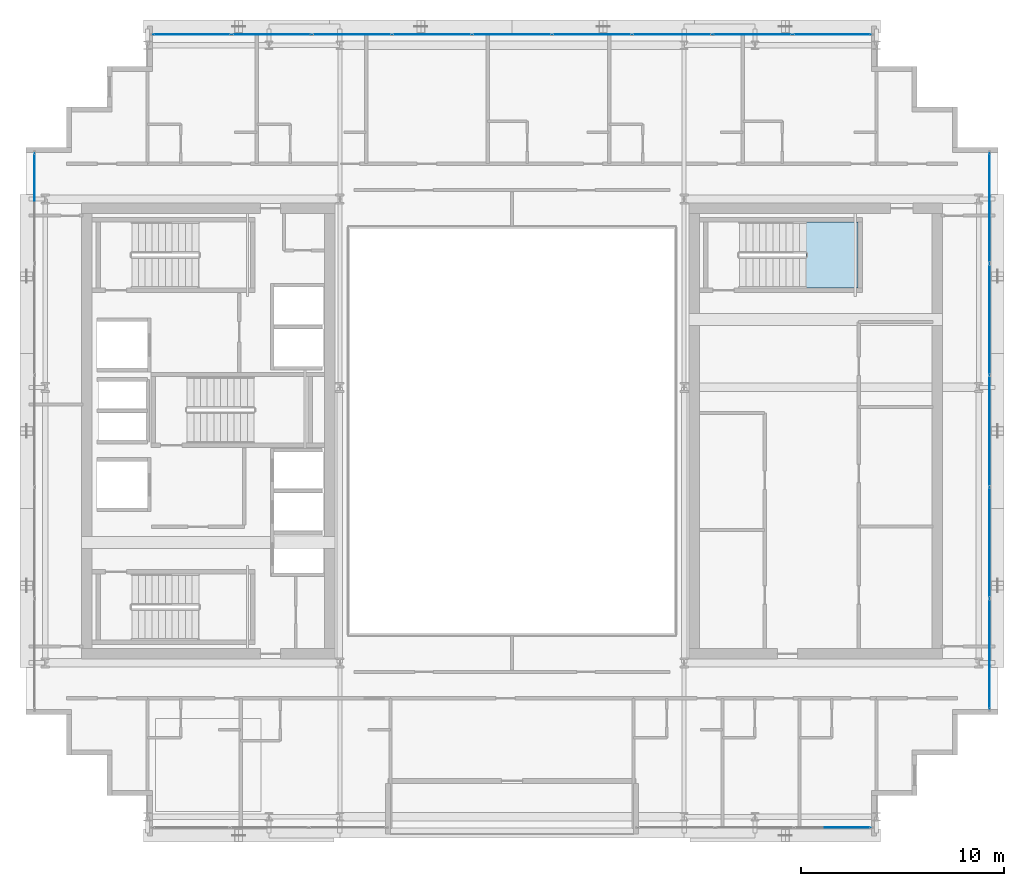
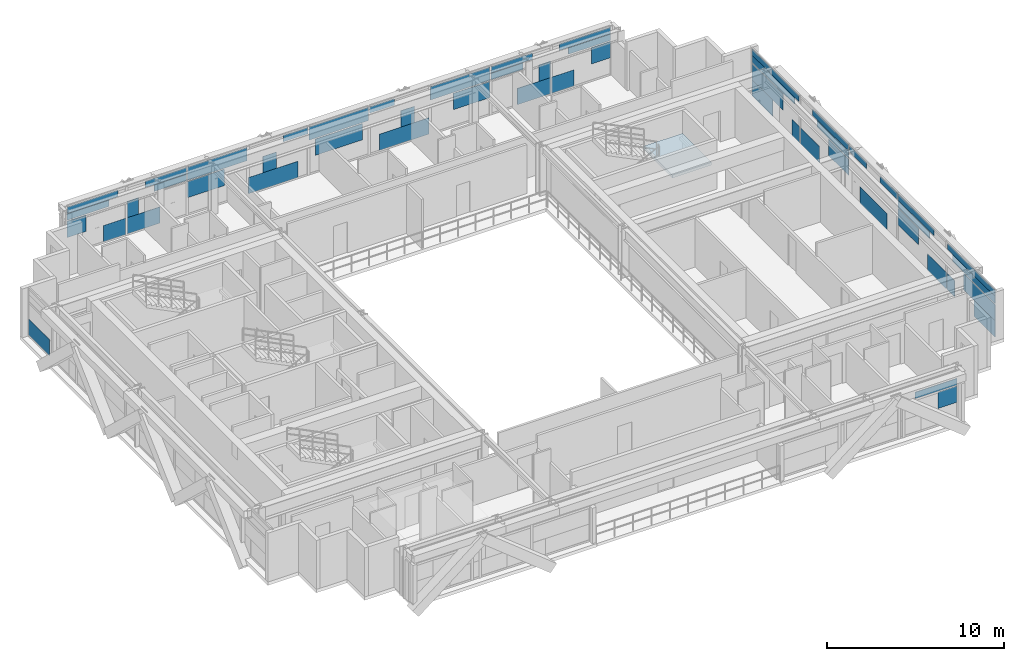
# One storey, part 21 of 31: 52 plates, 1 slab, 5 elements without a shape of their own.
"""IFC4 building model written with IfcOpenShell, lengths in metres."""

from ifc_helpers import new_model, si_unit, direction, frame, origin, origin_2d, place, context, subcontext, project, spatial, polyline, rectangle, outline, extrude, source, transform, mapped, material, layer, layer_set, type_object, element, aggregate, save


model = new_model("IFC4")

# Units and contexts
model_context = context("Model", 3, precision=1e-05, world=origin(), true_north=direction((0.0, 1.0)))
body_context = subcontext(model_context, "Body", "Model", "MODEL_VIEW")
ifc_project = project(units=[si_unit("LENGTHUNIT", "METRE"), si_unit("AREAUNIT", "SQUARE_METRE"), si_unit("VOLUMEUNIT", "CUBIC_METRE"), si_unit("PLANEANGLEUNIT", "RADIAN"), si_unit("MASSUNIT", "GRAM", prefix="KILO")], contexts=[model_context])

# Site, building, storey
site_placement = place(None, origin())
site = spatial("IfcSite", under=ifc_project, at=site_placement, CompositionType="ELEMENT")
building_placement = place(site_placement, origin())
building = spatial("IfcBuilding", under=site, at=building_placement, Name="Ocotamira Hotel", CompositionType="ELEMENT")
storey_placement = place(building_placement, frame((0.0, 0.0, 210.0)))
storey = spatial("IfcBuildingStorey", under=building, at=storey_placement, Name="L53", CompositionType="ELEMENT", Elevation=210.0)

# Stair, slab
ifc_material_1 = material(Name="Concrete C40/50", Category="concrete")
stair_type = type_object("IfcStairType", Name="ST-CORE-1560", PredefinedType="HALF_TURN_STAIR", material=ifc_material_1)
stair_placement = place(storey_placement, origin())
stair = element("IfcStair", 1, at=stair_placement, inside=storey, type_object=stair_type, Name="L53 Exit Stair ST-4", PredefinedType="HALF_TURN_STAIR")
ifc_layer_1 = layer(ifc_material_1, 0.199951171875)
ifc_layer_set_1 = layer_set([ifc_layer_1], Name="Concrete C40/50")
slab_type = type_object("IfcSlabType", Name="SLB-LAND-200", PredefinedType="LANDING", material=ifc_layer_set_1)
slab_placement = place(storey_placement, frame((0.0, 0.0, 1.60009765625)))
slab = element("IfcSlab", 2, at=slab_placement, type_object=slab_type, Name="ST-4 landing 1", PredefinedType="LANDING", context=body_context, shape_type="SweptSolid", body=[
    extrude(outline(polyline([(46.530029296875, 33.050048828125), (49.090087890625, 33.050048828125), (49.090087890625, 36.330078125), (46.530029296875, 36.330078125), (46.530029296875, 33.050048828125)])), origin(), (0.0, 0.0, 1.0), 0.199951171875),
])
aggregate(stair, [slab])

# Curtain wall, plates
ifc_material_2 = material(Name="Anodised pale-metal aluminium and solar glass", Category="aluminium")
ifc_layer_2 = layer(ifc_material_2, 0.199951171875)
ifc_layer_set_2 = layer_set([ifc_layer_2], Name="Anodised pale-metal aluminium and solar glass")
curtain_wall_type = type_object("IfcCurtainWallType", Name="CW-SYS4-Z3", PredefinedType="NOTDEFINED", material=ifc_layer_set_2)
curtain_wall_1_placement = place(storey_placement, origin())
curtain_wall_1 = element("IfcCurtainWall", 3, at=curtain_wall_1_placement, inside=storey, type_object=curtain_wall_type, Name="L53 Curtain Wall CW-4 CW-L53-N", PredefinedType="NOTDEFINED")
ifc_material_3 = material(Name="Double-silver low-E insulated solar glass", Category="glass")
ifc_layer_3 = layer(ifc_material_3, 0.031982421875)
ifc_layer_set_3 = layer_set([ifc_layer_3], Name="Double-silver low-E insulated solar glass")
plate_type = type_object("IfcPlateType", Name="CWP-VISION-32", PredefinedType="CURTAIN_PANEL", material=ifc_layer_set_3)
shared_shape_1 = source(origin(), body_context, "Body", "SweptSolid", [
    extrude(rectangle(XDim=3.87548828125, YDim=0.031982421875, at=origin_2d()), origin(), (0.0, 0.0, 1.0), 0.907470703125),
])
plate_1_placement = place(storey_placement, frame((24.0888671875, 45.580078125, 2.3876953125), z_axis=(0.0, 0.0, 1.0), x_axis=(1.0, 0.0, 0.0)))
plate_1 = element("IfcPlate", 4, at=plate_1_placement, type_object=plate_type, Name="CW-4 panel 3.2", PredefinedType="CURTAIN_PANEL", context=body_context, shape_type="MappedRepresentation", body=[
    mapped(shared_shape_1, transform((0.0, 0.0, 0.0), scale=1.0)),
])
plate_2_placement = place(storey_placement, frame((32.0, 45.580078125, 2.3876953125), z_axis=(0.0, 0.0, 1.0), x_axis=(1.0, 0.0, 0.0)))
plate_2 = element("IfcPlate", 5, at=plate_2_placement, type_object=plate_type, Name="CW-4 panel 5.2", PredefinedType="CURTAIN_PANEL", context=body_context, shape_type="MappedRepresentation", body=[
    mapped(shared_shape_1, transform((0.0, 0.0, 0.0), scale=1.0)),
])
plate_3_placement = place(storey_placement, frame((39.9111328125, 45.580078125, 2.3876953125), z_axis=(0.0, 0.0, 1.0), x_axis=(1.0, 0.0, 0.0)))
plate_3 = element("IfcPlate", 6, at=plate_3_placement, type_object=plate_type, Name="CW-4 panel 7.2", PredefinedType="CURTAIN_PANEL", context=body_context, shape_type="MappedRepresentation", body=[
    mapped(shared_shape_1, transform((0.0, 0.0, 0.0), scale=1.0)),
])

# Curtain wall, plate
curtain_wall_2_placement = place(storey_placement, origin())
curtain_wall_2 = element("IfcCurtainWall", 7, at=curtain_wall_2_placement, inside=storey, type_object=curtain_wall_type, Name="L53 Curtain Wall CW-4 CW-L53-S2", PredefinedType="NOTDEFINED")
shared_shape_2 = source(origin(), body_context, "Body", "SweptSolid", [
    extrude(rectangle(XDim=1.251953125, YDim=0.031982421875, at=origin_2d()), origin(), (0.0, 0.0, 1.0), 1.118896484375),
])
plate_4_placement = place(storey_placement, frame((49.093994140625, 6.419921875, 1.19384765625), z_axis=(0.0, 0.0, 1.0), x_axis=(1.0, 0.0, 0.0)))
plate_4 = element("IfcPlate", 8, at=plate_4_placement, type_object=plate_type, Name="CW-4 panel 3.1.2", PredefinedType="CURTAIN_PANEL", context=body_context, shape_type="MappedRepresentation", body=[
    mapped(shared_shape_2, transform((0.0, 0.0, 0.0), scale=1.0)),
])

# Plate
plate_5_placement = place(storey_placement, frame((14.906005859375, 45.580078125, 1.19384765625), z_axis=(0.0, 0.0, 1.0), x_axis=(1.0, 0.0, 0.0)))
plate_5 = element("IfcPlate", 9, at=plate_5_placement, type_object=plate_type, Name="CW-4 panel 1.1.1", PredefinedType="CURTAIN_PANEL", context=body_context, shape_type="MappedRepresentation", body=[
    mapped(shared_shape_2, transform((0.0, 0.0, 0.0), scale=1.0)),
])

plate_6_placement = place(storey_placement, frame((49.093994140625, 45.580078125, 1.19384765625), z_axis=(0.0, 0.0, 1.0), x_axis=(1.0, 0.0, 0.0)))
plate_6 = element("IfcPlate", 10, at=plate_6_placement, type_object=plate_type, Name="CW-4 panel 9.1.2", PredefinedType="CURTAIN_PANEL", context=body_context, shape_type="MappedRepresentation", body=[
    mapped(shared_shape_2, transform((0.0, 0.0, 0.0), scale=1.0)),
])

shared_shape_3 = source(origin(), body_context, "Body", "SweptSolid", [
    extrude(rectangle(XDim=2.744140625, YDim=0.031982421875, at=origin_2d()), origin(), (0.0, 0.0, 1.0), 0.443603515625),
])
plate_7_placement = place(storey_placement, frame((48.347900390625, 6.419921875, 2.3876953125), z_axis=(0.0, 0.0, 1.0), x_axis=(1.0, 0.0, 0.0)))
plate_7 = element("IfcPlate", 11, at=plate_7_placement, type_object=plate_type, Name="CW-4 panel 3.2.2", PredefinedType="CURTAIN_PANEL", context=body_context, shape_type="MappedRepresentation", body=[
    mapped(shared_shape_3, transform((0.0, 0.0, 0.0), scale=1.0)),
])

aggregate(curtain_wall_2, [plate_4, plate_7])

plate_8_placement = place(storey_placement, frame((15.652099609375, 45.580078125, 2.3876953125), z_axis=(0.0, 0.0, 1.0), x_axis=(1.0, 0.0, 0.0)))
plate_8 = element("IfcPlate", 12, at=plate_8_placement, type_object=plate_type, Name="CW-4 panel 1.2.1", PredefinedType="CURTAIN_PANEL", context=body_context, shape_type="MappedRepresentation", body=[
    mapped(shared_shape_3, transform((0.0, 0.0, 0.0), scale=1.0)),
])

plate_9_placement = place(storey_placement, frame((48.347900390625, 45.580078125, 2.3876953125), z_axis=(0.0, 0.0, 1.0), x_axis=(1.0, 0.0, 0.0)))
plate_9 = element("IfcPlate", 13, at=plate_9_placement, type_object=plate_type, Name="CW-4 panel 9.2.2", PredefinedType="CURTAIN_PANEL", context=body_context, shape_type="MappedRepresentation", body=[
    mapped(shared_shape_3, transform((0.0, 0.0, 0.0), scale=1.0)),
])

shared_shape_4 = source(origin(), body_context, "Body", "SweptSolid", [
    extrude(rectangle(XDim=3.337646484375, YDim=0.031982421875, at=origin_2d()), origin(), (0.0, 0.0, 1.0), 0.4326171875),
])
plate_10_placement = place(storey_placement, frame((15.94873046875, 45.580078125, 2.8623046875), z_axis=(0.0, 0.0, 1.0), x_axis=(1.0, 0.0, 0.0)))
plate_10 = element("IfcPlate", 14, at=plate_10_placement, type_object=plate_type, Name="CW-4 panel 1.2.2", PredefinedType="CURTAIN_PANEL", context=body_context, shape_type="MappedRepresentation", body=[
    mapped(shared_shape_4, transform((0.0, 0.0, 0.0), scale=1.0)),
])

plate_11_placement = place(storey_placement, frame((48.05126953125, 45.580078125, 2.8623046875), z_axis=(0.0, 0.0, 1.0), x_axis=(1.0, 0.0, 0.0)))
plate_11 = element("IfcPlate", 15, at=plate_11_placement, type_object=plate_type, Name="CW-4 panel 9.2.1", PredefinedType="CURTAIN_PANEL", context=body_context, shape_type="MappedRepresentation", body=[
    mapped(shared_shape_4, transform((0.0, 0.0, 0.0), scale=1.0)),
])

shared_shape_5 = source(origin(), body_context, "Body", "SweptSolid", [
    extrude(rectangle(XDim=1.463134765625, YDim=0.031982421875, at=origin_2d()), origin(), (0.0, 0.0, 1.0), 1.118896484375),
])
plate_12_placement = place(storey_placement, frame((17.384033203125, 45.580078125, 0.0751953125), z_axis=(0.0, 0.0, 1.0), x_axis=(1.0, 0.0, 0.0)))
plate_12 = element("IfcPlate", 16, at=plate_12_placement, type_object=plate_type, Name="CW-4 panel 1.1.2", PredefinedType="CURTAIN_PANEL", context=body_context, shape_type="MappedRepresentation", body=[
    mapped(shared_shape_5, transform((0.0, 0.0, 0.0), scale=1.0)),
])

plate_13_placement = place(storey_placement, frame((46.615966796875, 45.580078125, 0.0751953125), z_axis=(0.0, 0.0, 1.0), x_axis=(1.0, 0.0, 0.0)))
plate_13 = element("IfcPlate", 17, at=plate_13_placement, type_object=plate_type, Name="CW-4 panel 9.1.1", PredefinedType="CURTAIN_PANEL", context=body_context, shape_type="MappedRepresentation", body=[
    mapped(shared_shape_5, transform((0.0, 0.0, 0.0), scale=1.0)),
])

shared_shape_6 = source(origin(), body_context, "Body", "SweptSolid", [
    extrude(rectangle(XDim=2.152099609375, YDim=0.031982421875, at=origin_2d()), origin(), (0.0, 0.0, 1.0), 1.118896484375),
])
plate_14_placement = place(storey_placement, frame((19.271484375, 45.580078125, 0.0751953125), z_axis=(0.0, 0.0, 1.0), x_axis=(1.0, 0.0, 0.0)))
plate_14 = element("IfcPlate", 18, at=plate_14_placement, type_object=plate_type, Name="CW-4 panel 2.1.1", PredefinedType="CURTAIN_PANEL", context=body_context, shape_type="MappedRepresentation", body=[
    mapped(shared_shape_6, transform((0.0, 0.0, 0.0), scale=1.0)),
])

plate_15_placement = place(storey_placement, frame((44.728515625, 45.580078125, 0.0751953125), z_axis=(0.0, 0.0, 1.0), x_axis=(1.0, 0.0, 0.0)))
plate_15 = element("IfcPlate", 19, at=plate_15_placement, type_object=plate_type, Name="CW-4 panel 8.1.1", PredefinedType="CURTAIN_PANEL", context=body_context, shape_type="MappedRepresentation", body=[
    mapped(shared_shape_6, transform((0.0, 0.0, 0.0), scale=1.0)),
])

shared_shape_7 = source(origin(), body_context, "Body", "SweptSolid", [
    extrude(rectangle(XDim=0.75341796875, YDim=0.031982421875, at=origin_2d()), origin(), (0.0, 0.0, 1.0), 1.118896484375),
])
plate_16_placement = place(storey_placement, frame((18.572265625, 45.580078125, 1.19384765625), z_axis=(0.0, 0.0, 1.0), x_axis=(1.0, 0.0, 0.0)))
plate_16 = element("IfcPlate", 20, at=plate_16_placement, type_object=plate_type, Name="CW-4 panel 2.1.2", PredefinedType="CURTAIN_PANEL", context=body_context, shape_type="MappedRepresentation", body=[
    mapped(shared_shape_7, transform((0.0, 0.0, 0.0), scale=1.0)),
])

plate_17_placement = place(storey_placement, frame((45.427734375, 45.580078125, 1.19384765625), z_axis=(0.0, 0.0, 1.0), x_axis=(1.0, 0.0, 0.0)))
plate_17 = element("IfcPlate", 21, at=plate_17_placement, type_object=plate_type, Name="CW-4 panel 8.1.2", PredefinedType="CURTAIN_PANEL", context=body_context, shape_type="MappedRepresentation", body=[
    mapped(shared_shape_7, transform((0.0, 0.0, 0.0), scale=1.0)),
])

shared_shape_8 = source(origin(), body_context, "Body", "SweptSolid", [
    extrude(rectangle(XDim=2.688720703125, YDim=0.031982421875, at=origin_2d()), origin(), (0.0, 0.0, 1.0), 0.4326171875),
])
plate_18_placement = place(storey_placement, frame((20.726806640625, 45.580078125, 2.8623046875), z_axis=(0.0, 0.0, 1.0), x_axis=(1.0, 0.0, 0.0)))
plate_18 = element("IfcPlate", 22, at=plate_18_placement, type_object=plate_type, Name="CW-4 panel 2.2.1", PredefinedType="CURTAIN_PANEL", context=body_context, shape_type="MappedRepresentation", body=[
    mapped(shared_shape_8, transform((0.0, 0.0, 0.0), scale=1.0)),
])

plate_19_placement = place(storey_placement, frame((43.273193359375, 45.580078125, 2.8623046875), z_axis=(0.0, 0.0, 1.0), x_axis=(1.0, 0.0, 0.0)))
plate_19 = element("IfcPlate", 23, at=plate_19_placement, type_object=plate_type, Name="CW-4 panel 8.2.2", PredefinedType="CURTAIN_PANEL", context=body_context, shape_type="MappedRepresentation", body=[
    mapped(shared_shape_8, transform((0.0, 0.0, 0.0), scale=1.0)),
])

shared_shape_9 = source(origin(), body_context, "Body", "SweptSolid", [
    extrude(rectangle(XDim=2.09521484375, YDim=0.031982421875, at=origin_2d()), origin(), (0.0, 0.0, 1.0), 0.443603515625),
])
plate_20_placement = place(storey_placement, frame((21.0234375, 45.580078125, 2.3876953125), z_axis=(0.0, 0.0, 1.0), x_axis=(1.0, 0.0, 0.0)))
plate_20 = element("IfcPlate", 24, at=plate_20_placement, type_object=plate_type, Name="CW-4 panel 2.2.2", PredefinedType="CURTAIN_PANEL", context=body_context, shape_type="MappedRepresentation", body=[
    mapped(shared_shape_9, transform((0.0, 0.0, 0.0), scale=1.0)),
])

plate_21_placement = place(storey_placement, frame((42.9765625, 45.580078125, 2.3876953125), z_axis=(0.0, 0.0, 1.0), x_axis=(1.0, 0.0, 0.0)))
plate_21 = element("IfcPlate", 25, at=plate_21_placement, type_object=plate_type, Name="CW-4 panel 8.2.1", PredefinedType="CURTAIN_PANEL", context=body_context, shape_type="MappedRepresentation", body=[
    mapped(shared_shape_9, transform((0.0, 0.0, 0.0), scale=1.0)),
])

shared_shape_10 = source(origin(), body_context, "Body", "SweptSolid", [
    extrude(rectangle(XDim=2.380859375, YDim=0.031982421875, at=origin_2d()), origin(), (0.0, 0.0, 1.0), 1.118896484375),
])
plate_22_placement = place(storey_placement, frame((23.341552734375, 45.580078125, 1.19384765625), z_axis=(0.0, 0.0, 1.0), x_axis=(1.0, 0.0, 0.0)))
plate_22 = element("IfcPlate", 26, at=plate_22_placement, type_object=plate_type, Name="CW-4 panel 3.1.1", PredefinedType="CURTAIN_PANEL", context=body_context, shape_type="MappedRepresentation", body=[
    mapped(shared_shape_10, transform((0.0, 0.0, 0.0), scale=1.0)),
])

plate_23_placement = place(storey_placement, frame((40.658447265625, 45.580078125, 1.19384765625), z_axis=(0.0, 0.0, 1.0), x_axis=(1.0, 0.0, 0.0)))
plate_23 = element("IfcPlate", 27, at=plate_23_placement, type_object=plate_type, Name="CW-4 panel 7.1.1", PredefinedType="CURTAIN_PANEL", context=body_context, shape_type="MappedRepresentation", body=[
    mapped(shared_shape_10, transform((0.0, 0.0, 0.0), scale=1.0)),
])

shared_shape_11 = source(origin(), body_context, "Body", "SweptSolid", [
    extrude(rectangle(XDim=3.240966796875, YDim=0.031982421875, at=origin_2d()), origin(), (0.0, 0.0, 1.0), 1.118896484375),
])
plate_24_placement = place(storey_placement, frame((27.72705078125, 45.580078125, 0.0751953125), z_axis=(0.0, 0.0, 1.0), x_axis=(1.0, 0.0, 0.0)))
plate_24 = element("IfcPlate", 28, at=plate_24_placement, type_object=plate_type, Name="CW-4 panel 4.1.1", PredefinedType="CURTAIN_PANEL", context=body_context, shape_type="MappedRepresentation", body=[
    mapped(shared_shape_11, transform((0.0, 0.0, 0.0), scale=1.0)),
])

plate_25_placement = place(storey_placement, frame((36.27294921875, 45.580078125, 0.0751953125), z_axis=(0.0, 0.0, 1.0), x_axis=(1.0, 0.0, 0.0)))
plate_25 = element("IfcPlate", 29, at=plate_25_placement, type_object=plate_type, Name="CW-4 panel 6.1.1", PredefinedType="CURTAIN_PANEL", context=body_context, shape_type="MappedRepresentation", body=[
    mapped(shared_shape_11, transform((0.0, 0.0, 0.0), scale=1.0)),
])

shared_shape_12 = source(origin(), body_context, "Body", "SweptSolid", [
    extrude(rectangle(XDim=0.898193359375, YDim=0.031982421875, at=origin_2d()), origin(), (0.0, 0.0, 1.0), 1.118896484375),
])
plate_26_placement = place(storey_placement, frame((27.5, 45.580078125, 1.19384765625), z_axis=(0.0, 0.0, 1.0), x_axis=(1.0, 0.0, 0.0)))
plate_26 = element("IfcPlate", 30, at=plate_26_placement, type_object=plate_type, Name="CW-4 panel 4.1.2", PredefinedType="CURTAIN_PANEL", context=body_context, shape_type="MappedRepresentation", body=[
    mapped(shared_shape_12, transform((0.0, 0.0, 0.0), scale=1.0)),
])

plate_27_placement = place(storey_placement, frame((36.5, 45.580078125, 1.19384765625), z_axis=(0.0, 0.0, 1.0), x_axis=(1.0, 0.0, 0.0)))
plate_27 = element("IfcPlate", 31, at=plate_27_placement, type_object=plate_type, Name="CW-4 panel 6.1.2", PredefinedType="CURTAIN_PANEL", context=body_context, shape_type="MappedRepresentation", body=[
    mapped(shared_shape_12, transform((0.0, 0.0, 0.0), scale=1.0)),
])

shared_shape_13 = source(origin(), body_context, "Body", "SweptSolid", [
    extrude(rectangle(XDim=1.599853515625, YDim=0.031982421875, at=origin_2d()), origin(), (0.0, 0.0, 1.0), 0.4326171875),
])
plate_28_placement = place(storey_placement, frame((29.182373046875, 45.580078125, 2.8623046875), z_axis=(0.0, 0.0, 1.0), x_axis=(1.0, 0.0, 0.0)))
plate_28 = element("IfcPlate", 32, at=plate_28_placement, type_object=plate_type, Name="CW-4 panel 4.2.1", PredefinedType="CURTAIN_PANEL", context=body_context, shape_type="MappedRepresentation", body=[
    mapped(shared_shape_13, transform((0.0, 0.0, 0.0), scale=1.0)),
])

plate_29_placement = place(storey_placement, frame((34.817626953125, 45.580078125, 2.8623046875), z_axis=(0.0, 0.0, 1.0), x_axis=(1.0, 0.0, 0.0)))
plate_29 = element("IfcPlate", 33, at=plate_29_placement, type_object=plate_type, Name="CW-4 panel 6.2.1", PredefinedType="CURTAIN_PANEL", context=body_context, shape_type="MappedRepresentation", body=[
    mapped(shared_shape_13, transform((0.0, 0.0, 0.0), scale=1.0)),
])

shared_shape_14 = source(origin(), body_context, "Body", "SweptSolid", [
    extrude(rectangle(XDim=3.063720703125, YDim=0.031982421875, at=origin_2d()), origin(), (0.0, 0.0, 1.0), 1.118896484375),
])
plate_30_placement = place(storey_placement, frame((32.0, 45.580078125, 1.19384765625), z_axis=(0.0, 0.0, 1.0), x_axis=(1.0, 0.0, 0.0)))
plate_30 = element("IfcPlate", 34, at=plate_30_placement, type_object=plate_type, Name="CW-4 panel 5.1.1", PredefinedType="CURTAIN_PANEL", context=body_context, shape_type="MappedRepresentation", body=[
    mapped(shared_shape_14, transform((0.0, 0.0, 0.0), scale=1.0)),
])

aggregate(curtain_wall_1, [plate_5, plate_12, plate_8, plate_10, plate_14, plate_16, plate_18, plate_20, plate_22, plate_1, plate_24, plate_26, plate_28, plate_30, plate_2, plate_25, plate_27, plate_29, plate_23, plate_3, plate_15, plate_17, plate_21, plate_19, plate_13, plate_6, plate_11, plate_9])

# Curtain wall, plate
curtain_wall_3_placement = place(storey_placement, origin())
curtain_wall_3 = element("IfcCurtainWall", 35, at=curtain_wall_3_placement, inside=storey, type_object=curtain_wall_type, Name="L53 Curtain Wall CW-4 CW-L53-W", PredefinedType="NOTDEFINED")
shared_shape_15 = source(origin(), body_context, "Body", "SweptSolid", [
    extrude(rectangle(XDim=2.348388671875, YDim=0.031982421875, at=origin_2d()), origin(), (0.0, 0.0, 1.0), 1.118896484375),
])
plate_31_placement = place(storey_placement, frame((8.419921875, 38.5458984375, 0.0751953125), z_axis=(0.0, 0.0, 1.0), x_axis=(0.0, 1.0, 0.0)))
plate_31 = element("IfcPlate", 36, at=plate_31_placement, type_object=plate_type, Name="CW-4 panel 5.1.3", PredefinedType="CURTAIN_PANEL", context=body_context, shape_type="MappedRepresentation", body=[
    mapped(shared_shape_15, transform((0.0, 0.0, 0.0), scale=1.0)),
])
aggregate(curtain_wall_3, [plate_31])

# Curtain wall, plates
curtain_wall_4_placement = place(storey_placement, origin())
curtain_wall_4 = element("IfcCurtainWall", 37, at=curtain_wall_4_placement, inside=storey, type_object=curtain_wall_type, Name="L53 Curtain Wall CW-4 CW-L53-E", PredefinedType="NOTDEFINED")
plate_32_placement = place(storey_placement, frame((55.580078125, 13.4541015625, 0.0751953125), z_axis=(0.0, 0.0, 1.0), x_axis=(0.0, 1.0, 0.0)))
plate_32 = element("IfcPlate", 38, at=plate_32_placement, type_object=plate_type, Name="CW-4 panel 1.1.1", PredefinedType="CURTAIN_PANEL", context=body_context, shape_type="MappedRepresentation", body=[
    mapped(shared_shape_15, transform((0.0, 0.0, 0.0), scale=1.0)),
])
plate_33_placement = place(storey_placement, frame((55.580078125, 38.5458984375, 0.0751953125), z_axis=(0.0, 0.0, 1.0), x_axis=(0.0, 1.0, 0.0)))
plate_33 = element("IfcPlate", 39, at=plate_33_placement, type_object=plate_type, Name="CW-4 panel 5.1.3", PredefinedType="CURTAIN_PANEL", context=body_context, shape_type="MappedRepresentation", body=[
    mapped(shared_shape_15, transform((0.0, 0.0, 0.0), scale=1.0)),
])
shared_shape_16 = source(origin(), body_context, "Body", "SweptSolid", [
    extrude(rectangle(XDim=3.534423828125, YDim=0.031982421875, at=origin_2d()), origin(), (0.0, 0.0, 1.0), 1.118896484375),
])
plate_34_placement = place(storey_placement, frame((55.580078125, 14.047119140625, 1.19384765625), z_axis=(0.0, 0.0, 1.0), x_axis=(0.0, 1.0, 0.0)))
plate_34 = element("IfcPlate", 40, at=plate_34_placement, type_object=plate_type, Name="CW-4 panel 1.1.2", PredefinedType="CURTAIN_PANEL", context=body_context, shape_type="MappedRepresentation", body=[
    mapped(shared_shape_16, transform((0.0, 0.0, 0.0), scale=1.0)),
])
plate_35_placement = place(storey_placement, frame((55.580078125, 37.952880859375, 1.19384765625), z_axis=(0.0, 0.0, 1.0), x_axis=(0.0, 1.0, 0.0)))
plate_35 = element("IfcPlate", 41, at=plate_35_placement, type_object=plate_type, Name="CW-4 panel 5.1.2", PredefinedType="CURTAIN_PANEL", context=body_context, shape_type="MappedRepresentation", body=[
    mapped(shared_shape_16, transform((0.0, 0.0, 0.0), scale=1.0)),
])
shared_shape_17 = source(origin(), body_context, "Body", "SweptSolid", [
    extrude(rectangle(XDim=0.845458984375, YDim=0.031982421875, at=origin_2d()), origin(), (0.0, 0.0, 1.0), 1.118896484375),
])
plate_36_placement = place(storey_placement, frame((55.580078125, 17.25732421875, 0.0751953125), z_axis=(0.0, 0.0, 1.0), x_axis=(0.0, 1.0, 0.0)))
plate_36 = element("IfcPlate", 42, at=plate_36_placement, type_object=plate_type, Name="CW-4 panel 1.1.3", PredefinedType="CURTAIN_PANEL", context=body_context, shape_type="MappedRepresentation", body=[
    mapped(shared_shape_17, transform((0.0, 0.0, 0.0), scale=1.0)),
])
plate_37_placement = place(storey_placement, frame((55.580078125, 34.74267578125, 0.0751953125), z_axis=(0.0, 0.0, 1.0), x_axis=(0.0, 1.0, 0.0)))
plate_37 = element("IfcPlate", 43, at=plate_37_placement, type_object=plate_type, Name="CW-4 panel 5.1.1", PredefinedType="CURTAIN_PANEL", context=body_context, shape_type="MappedRepresentation", body=[
    mapped(shared_shape_17, transform((0.0, 0.0, 0.0), scale=1.0)),
])
shared_shape_18 = source(origin(), body_context, "Body", "SweptSolid", [
    extrude(rectangle(XDim=4.7998046875, YDim=0.031982421875, at=origin_2d()), origin(), (0.0, 0.0, 1.0), 0.4951171875),
])
plate_38_placement = place(storey_placement, frame((55.580078125, 14.679931640625, 2.387451171875), z_axis=(0.0, 0.0, 1.0), x_axis=(0.0, 1.0, 0.0)))
plate_38 = element("IfcPlate", 44, at=plate_38_placement, type_object=plate_type, Name="CW-4 panel 1.2.1", PredefinedType="CURTAIN_PANEL", context=body_context, shape_type="MappedRepresentation", body=[
    mapped(shared_shape_18, transform((0.0, 0.0, 0.0), scale=1.0)),
])
plate_39_placement = place(storey_placement, frame((55.580078125, 37.320068359375, 2.387451171875), z_axis=(0.0, 0.0, 1.0), x_axis=(0.0, 1.0, 0.0)))
plate_39 = element("IfcPlate", 45, at=plate_39_placement, type_object=plate_type, Name="CW-4 panel 5.2.2", PredefinedType="CURTAIN_PANEL", context=body_context, shape_type="MappedRepresentation", body=[
    mapped(shared_shape_18, transform((0.0, 0.0, 0.0), scale=1.0)),
])
shared_shape_19 = source(origin(), body_context, "Body", "SweptSolid", [
    extrude(rectangle(XDim=5.32470703125, YDim=0.031982421875, at=origin_2d()), origin(), (0.0, 0.0, 1.0), 0.41259765625),
])
plate_40_placement = place(storey_placement, frame((55.580078125, 14.9423828125, 2.882568359375), z_axis=(0.0, 0.0, 1.0), x_axis=(0.0, 1.0, 0.0)))
plate_40 = element("IfcPlate", 46, at=plate_40_placement, type_object=plate_type, Name="CW-4 panel 1.2.2", PredefinedType="CURTAIN_PANEL", context=body_context, shape_type="MappedRepresentation", body=[
    mapped(shared_shape_19, transform((0.0, 0.0, 0.0), scale=1.0)),
])
plate_41_placement = place(storey_placement, frame((55.580078125, 37.0576171875, 2.882568359375), z_axis=(0.0, 0.0, 1.0), x_axis=(0.0, 1.0, 0.0)))
plate_41 = element("IfcPlate", 47, at=plate_41_placement, type_object=plate_type, Name="CW-4 panel 5.2.1", PredefinedType="CURTAIN_PANEL", context=body_context, shape_type="MappedRepresentation", body=[
    mapped(shared_shape_19, transform((0.0, 0.0, 0.0), scale=1.0)),
])
shared_shape_20 = source(origin(), body_context, "Body", "SweptSolid", [
    extrude(rectangle(XDim=2.138671875, YDim=0.031982421875, at=origin_2d()), origin(), (0.0, 0.0, 1.0), 1.118896484375),
])
plate_42_placement = place(storey_placement, frame((55.580078125, 18.829345703125, 0.0751953125), z_axis=(0.0, 0.0, 1.0), x_axis=(0.0, 1.0, 0.0)))
plate_42 = element("IfcPlate", 48, at=plate_42_placement, type_object=plate_type, Name="CW-4 panel 2.1.1", PredefinedType="CURTAIN_PANEL", context=body_context, shape_type="MappedRepresentation", body=[
    mapped(shared_shape_20, transform((0.0, 0.0, 0.0), scale=1.0)),
])
plate_43_placement = place(storey_placement, frame((55.580078125, 33.170654296875, 0.0751953125), z_axis=(0.0, 0.0, 1.0), x_axis=(0.0, 1.0, 0.0)))
plate_43 = element("IfcPlate", 49, at=plate_43_placement, type_object=plate_type, Name="CW-4 panel 4.1.2", PredefinedType="CURTAIN_PANEL", context=body_context, shape_type="MappedRepresentation", body=[
    mapped(shared_shape_20, transform((0.0, 0.0, 0.0), scale=1.0)),
])
shared_shape_21 = source(origin(), body_context, "Body", "SweptSolid", [
    extrude(rectangle(XDim=2.281005859375, YDim=0.031982421875, at=origin_2d()), origin(), (0.0, 0.0, 1.0), 1.118896484375),
])
plate_44_placement = place(storey_placement, frame((55.580078125, 22.059326171875, 1.19384765625), z_axis=(0.0, 0.0, 1.0), x_axis=(0.0, 1.0, 0.0)))
plate_44 = element("IfcPlate", 50, at=plate_44_placement, type_object=plate_type, Name="CW-4 panel 2.1.2", PredefinedType="CURTAIN_PANEL", context=body_context, shape_type="MappedRepresentation", body=[
    mapped(shared_shape_21, transform((0.0, 0.0, 0.0), scale=1.0)),
])
plate_45_placement = place(storey_placement, frame((55.580078125, 29.940673828125, 1.19384765625), z_axis=(0.0, 0.0, 1.0), x_axis=(0.0, 1.0, 0.0)))
plate_45 = element("IfcPlate", 51, at=plate_45_placement, type_object=plate_type, Name="CW-4 panel 4.1.1", PredefinedType="CURTAIN_PANEL", context=body_context, shape_type="MappedRepresentation", body=[
    mapped(shared_shape_21, transform((0.0, 0.0, 0.0), scale=1.0)),
])
shared_shape_22 = source(origin(), body_context, "Body", "SweptSolid", [
    extrude(rectangle(XDim=4.071533203125, YDim=0.031982421875, at=origin_2d()), origin(), (0.0, 0.0, 1.0), 0.41259765625),
])
plate_46_placement = place(storey_placement, frame((55.580078125, 21.164306640625, 2.882568359375), z_axis=(0.0, 0.0, 1.0), x_axis=(0.0, 1.0, 0.0)))
plate_46 = element("IfcPlate", 52, at=plate_46_placement, type_object=plate_type, Name="CW-4 panel 2.2.1", PredefinedType="CURTAIN_PANEL", context=body_context, shape_type="MappedRepresentation", body=[
    mapped(shared_shape_22, transform((0.0, 0.0, 0.0), scale=1.0)),
])
plate_47_placement = place(storey_placement, frame((55.580078125, 30.835693359375, 2.882568359375), z_axis=(0.0, 0.0, 1.0), x_axis=(0.0, 1.0, 0.0)))
plate_47 = element("IfcPlate", 53, at=plate_47_placement, type_object=plate_type, Name="CW-4 panel 4.2.2", PredefinedType="CURTAIN_PANEL", context=body_context, shape_type="MappedRepresentation", body=[
    mapped(shared_shape_22, transform((0.0, 0.0, 0.0), scale=1.0)),
])
shared_shape_23 = source(origin(), body_context, "Body", "SweptSolid", [
    extrude(rectangle(XDim=3.546630859375, YDim=0.031982421875, at=origin_2d()), origin(), (0.0, 0.0, 1.0), 0.460693359375),
])
plate_48_placement = place(storey_placement, frame((55.580078125, 21.426513671875, 2.3876953125), z_axis=(0.0, 0.0, 1.0), x_axis=(0.0, 1.0, 0.0)))
plate_48 = element("IfcPlate", 54, at=plate_48_placement, type_object=plate_type, Name="CW-4 panel 2.2.2", PredefinedType="CURTAIN_PANEL", context=body_context, shape_type="MappedRepresentation", body=[
    mapped(shared_shape_23, transform((0.0, 0.0, 0.0), scale=1.0)),
])
plate_49_placement = place(storey_placement, frame((55.580078125, 30.573486328125, 2.3876953125), z_axis=(0.0, 0.0, 1.0), x_axis=(0.0, 1.0, 0.0)))
plate_49 = element("IfcPlate", 55, at=plate_49_placement, type_object=plate_type, Name="CW-4 panel 4.2.1", PredefinedType="CURTAIN_PANEL", context=body_context, shape_type="MappedRepresentation", body=[
    mapped(shared_shape_23, transform((0.0, 0.0, 0.0), scale=1.0)),
])
shared_shape_24 = source(origin(), body_context, "Body", "SweptSolid", [
    extrude(rectangle(XDim=3.064208984375, YDim=0.031982421875, at=origin_2d()), origin(), (0.0, 0.0, 1.0), 1.118896484375),
])
plate_50_placement = place(storey_placement, frame((55.580078125, 26.0, 0.0751953125), z_axis=(0.0, 0.0, 1.0), x_axis=(0.0, 1.0, 0.0)))
plate_50 = element("IfcPlate", 56, at=plate_50_placement, type_object=plate_type, Name="CW-4 panel 3.1.1", PredefinedType="CURTAIN_PANEL", context=body_context, shape_type="MappedRepresentation", body=[
    mapped(shared_shape_24, transform((0.0, 0.0, 0.0), scale=1.0)),
])
shared_shape_25 = source(origin(), body_context, "Body", "SweptSolid", [
    extrude(rectangle(XDim=1.958251953125, YDim=0.031982421875, at=origin_2d()), origin(), (0.0, 0.0, 1.0), 0.41259765625),
])
plate_51_placement = place(storey_placement, frame((55.580078125, 24.259033203125, 2.882568359375), z_axis=(0.0, 0.0, 1.0), x_axis=(0.0, 1.0, 0.0)))
plate_51 = element("IfcPlate", 57, at=plate_51_placement, type_object=plate_type, Name="CW-4 panel 3.2.1", PredefinedType="CURTAIN_PANEL", context=body_context, shape_type="MappedRepresentation", body=[
    mapped(shared_shape_25, transform((0.0, 0.0, 0.0), scale=1.0)),
])
plate_52_placement = place(storey_placement, frame((55.580078125, 27.740966796875, 2.882568359375), z_axis=(0.0, 0.0, 1.0), x_axis=(0.0, 1.0, 0.0)))
plate_52 = element("IfcPlate", 58, at=plate_52_placement, type_object=plate_type, Name="CW-4 panel 3.2.2", PredefinedType="CURTAIN_PANEL", context=body_context, shape_type="MappedRepresentation", body=[
    mapped(shared_shape_25, transform((0.0, 0.0, 0.0), scale=1.0)),
])
aggregate(curtain_wall_4, [plate_32, plate_34, plate_36, plate_38, plate_40, plate_42, plate_44, plate_46, plate_48, plate_50, plate_51, plate_52, plate_45, plate_43, plate_49, plate_47, plate_37, plate_35, plate_33, plate_41, plate_39])

save(model, "model.ifc")
